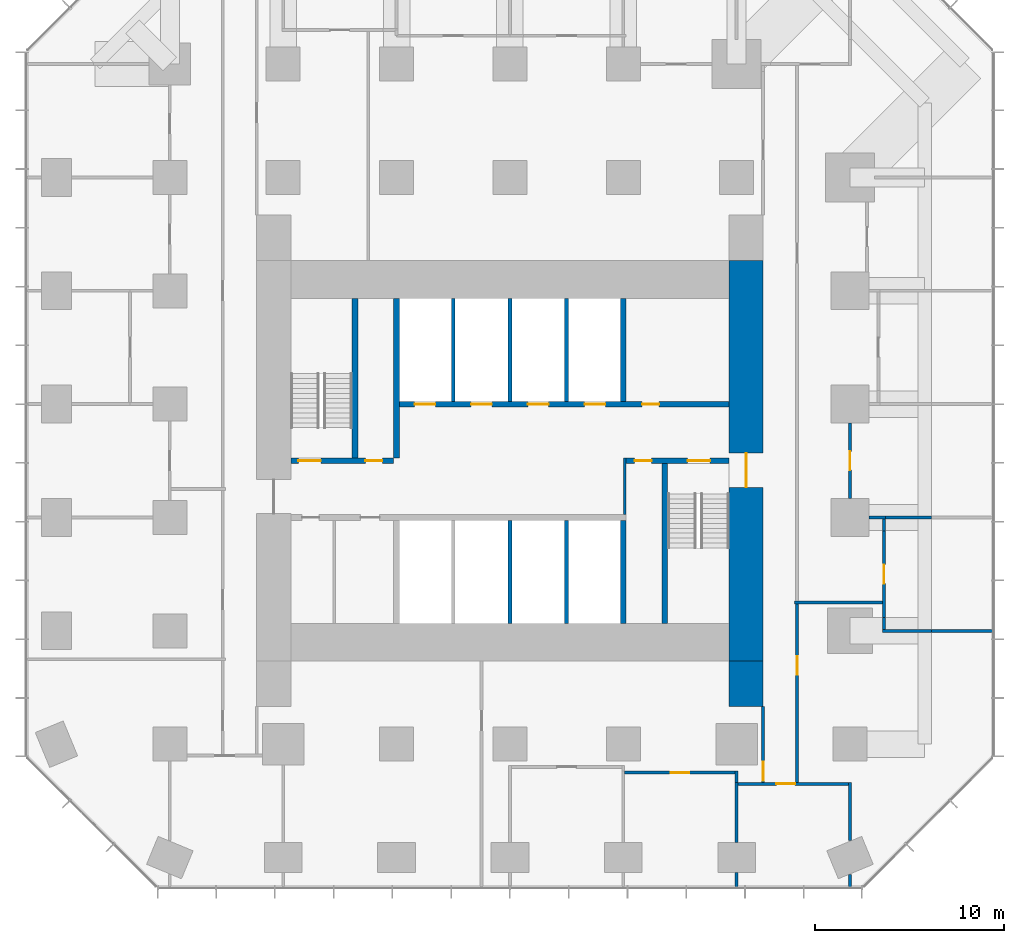
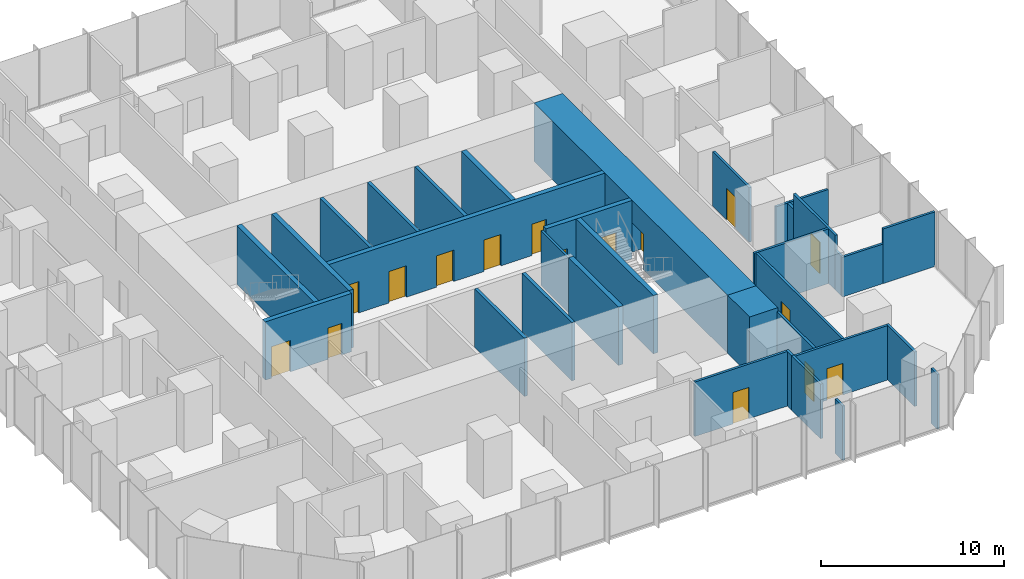
# One storey, part 9 of 12: 34 walls, 16 doors, 16 openings.
"""IFC4 building model written with IfcOpenShell, lengths in metres."""

from ifc_helpers import new_model, si_unit, direction, frame, frame_2d, origin, place, context, subcontext, project, spatial, rectangle, extrude, material, layer, layer_set, type_object, element, fill, save


model = new_model("IFC4")

# Units and contexts
model_context = context("Model", 3, precision=1e-05, world=origin(), true_north=direction((0.0, 1.0)))
body_context = subcontext(model_context, "Body", "Model", "MODEL_VIEW")
ifc_project = project(units=[si_unit("LENGTHUNIT", "METRE"), si_unit("AREAUNIT", "SQUARE_METRE"), si_unit("VOLUMEUNIT", "CUBIC_METRE"), si_unit("PLANEANGLEUNIT", "RADIAN"), si_unit("MASSUNIT", "GRAM", prefix="KILO")], contexts=[model_context])

# Site, building, storey
site_placement = place(None, origin())
site = spatial("IfcSite", under=ifc_project, at=site_placement, CompositionType="ELEMENT")
building_placement = place(site_placement, origin())
building = spatial("IfcBuilding", under=site, at=building_placement, Name="Highveld Stack Headquarters", CompositionType="ELEMENT")
storey_placement = place(building_placement, frame((0.0, 0.0, 76.699951171875)))
storey = spatial("IfcBuildingStorey", under=building, at=storey_placement, Name="L18", CompositionType="ELEMENT", Elevation=76.699951171875)

# Wall, opening, door
ifc_material_1 = material(Name="Concrete C60/75", Category="concrete")
ifc_layer_1 = layer(ifc_material_1, 1.800048828125)
ifc_layer_set_1 = layer_set([ifc_layer_1], Name="Concrete C60/75")
wall_type_1 = type_object("IfcWallType", Name="CORE WALL 1800 C60/75", PredefinedType="SHEAR", material=ifc_layer_set_1)
wall_1_placement = place(storey_placement, frame((18.5, -7.60009765625, 0.0), z_axis=(0.0, 0.0, 1.0), x_axis=(0.0, 1.0, 0.0)))
wall_1 = element("IfcWall", 1, at=wall_1_placement, inside=storey, type_object=wall_type_1, Name="Core wall E L18", PredefinedType="SHEAR", context=body_context, shape_type="SweptSolid", body=[
    extrude(rectangle(XDim=21.2001953125, YDim=1.800048828125, at=frame_2d((10.60009765625, 0.0))), origin(), (0.0, 0.0, 1.0), 3.900146484375),
])
opening_1_placement = place(wall_1_placement, frame((9.199951171875, 0.0, 0.0)))
opening_1 = element("IfcOpeningElement", 2, at=opening_1_placement, cuts=wall_1, Name="Opening L18-02", PredefinedType="OPENING", context=body_context, shape_type="SweptSolid", body=[
    extrude(rectangle(XDim=1.800048828125, YDim=2.39990234375, at=frame_2d((0.89990234375, 1.199951171875))), frame((0.0, 0.909912109375, 0.0), z_axis=(0.0, -1.0, 0.0), x_axis=(1.0, 0.0, 0.0)), (0.0, 0.0, 1.0), 1.820068359375),
])
ifc_material_2 = material(Name="Steel fire door", Category="steel")
door_type_1 = type_object("IfcDoorType", Name="LOBBY FIRE DOOR D4 1800x2400", OperationType="DOUBLE_DOOR_SINGLE_SWING", PredefinedType="DOOR", material=ifc_material_2)
door_1_placement = place(opening_1_placement, origin())
door_1 = element("IfcDoor", 3, at=door_1_placement, inside=storey, type_object=door_type_1, Name="Core east door L18", OperationType="DOUBLE_DOOR_SINGLE_SWING", OverallHeight=2.39990234375, OverallWidth=1.800048828125, PredefinedType="DOOR", context=body_context, shape_type="SweptSolid", body=[
    extrude(rectangle(XDim=1.800048828125, YDim=2.39990234375, at=frame_2d((0.89990234375, 1.199951171875))), frame((0.0, 0.02490234375, 0.0), z_axis=(0.0, -1.0, 0.0), x_axis=(1.0, 0.0, 0.0)), (0.0, 0.0, 1.0), 0.050048828125),
])
fill(opening_1, door_1)

# Wall, openings, doors
ifc_material_3 = material(Name="Concrete C60/75", Category="concrete")
ifc_layer_2 = layer(ifc_material_3, 0.300048828125)
ifc_layer_set_2 = layer_set([ifc_layer_2], Name="Concrete C60/75")
wall_type_2 = type_object("IfcWallType", Name="CORE WALL 300 C60/75", PredefinedType="SHEAR", material=ifc_layer_set_2)
wall_2_placement = place(storey_placement, frame((-5.60009765625, 3.0, 0.0), z_axis=(0.0, 0.0, 1.0), x_axis=(1.0, 0.0, 0.0)))
wall_2 = element("IfcWall", 4, at=wall_2_placement, inside=storey, type_object=wall_type_2, Name="Core wall I-Y3W L18", PredefinedType="SHEAR", context=body_context, shape_type="SweptSolid", body=[
    extrude(rectangle(XDim=5.4501953125, YDim=0.300048828125, at=frame_2d((2.72509765625, 0.0))), origin(), (0.0, 0.0, 1.0), 3.900146484375),
])
opening_2_placement = place(wall_2_placement, frame((0.39990234375, 0.0, 0.0)))
opening_2 = element("IfcOpeningElement", 5, at=opening_2_placement, cuts=wall_2, Name="Opening L18-03", PredefinedType="OPENING", context=body_context, shape_type="SweptSolid", body=[
    extrude(rectangle(XDim=1.199951171875, YDim=2.10009765625, at=frame_2d((0.60009765625, 1.050048828125))), frame((0.0, 0.159912109375, 0.0), z_axis=(0.0, -1.0, 0.0), x_axis=(1.0, 0.0, 0.0)), (0.0, 0.0, 1.0), 0.320068359375),
])
opening_3_placement = place(wall_2_placement, frame((3.949951171875, 0.0, 0.0)))
opening_3 = element("IfcOpeningElement", 6, at=opening_3_placement, cuts=wall_2, Name="Opening L18-04", PredefinedType="OPENING", context=body_context, shape_type="SweptSolid", body=[
    extrude(rectangle(XDim=0.89990234375, YDim=2.10009765625, at=frame_2d((0.449951171875, 1.050048828125))), frame((0.0, 0.159912109375, 0.0), z_axis=(0.0, -1.0, 0.0), x_axis=(1.0, 0.0, 0.0)), (0.0, 0.0, 1.0), 0.320068359375),
])
ifc_material_4 = material(Name="Steel fire door", Category="steel")
door_type_2 = type_object("IfcDoorType", Name="RISER ACCESS DOOR D5 900x2100", OperationType="SINGLE_SWING_LEFT", PredefinedType="DOOR", material=ifc_material_4)
door_2_placement = place(opening_3_placement, origin())
door_2 = element("IfcDoor", 7, at=door_2_placement, inside=storey, type_object=door_type_2, Name="Riser R1 door L18", OperationType="SINGLE_SWING_RIGHT", OverallHeight=2.10009765625, OverallWidth=0.89990234375, PredefinedType="DOOR", context=body_context, shape_type="SweptSolid", body=[
    extrude(rectangle(XDim=0.89990234375, YDim=2.10009765625, at=frame_2d((0.449951171875, 1.050048828125))), frame((0.0, 0.02490234375, 0.0), z_axis=(0.0, -1.0, 0.0), x_axis=(1.0, 0.0, 0.0)), (0.0, 0.0, 1.0), 0.050048828125),
])
fill(opening_3, door_2)
ifc_material_5 = material(Name="Steel fire door", Category="steel")
door_type_3 = type_object("IfcDoorType", Name="STAIR FIRE DOOR D3 1200x2100", OperationType="SINGLE_SWING_LEFT", PredefinedType="DOOR", material=ifc_material_5)
door_3_placement = place(opening_2_placement, origin())
door_3 = element("IfcDoor", 8, at=door_3_placement, inside=storey, type_object=door_type_3, Name="Stair S1 door L18", OperationType="SINGLE_SWING_LEFT", OverallHeight=2.10009765625, OverallWidth=1.199951171875, PredefinedType="DOOR", context=body_context, shape_type="SweptSolid", body=[
    extrude(rectangle(XDim=1.199951171875, YDim=2.10009765625, at=frame_2d((0.60009765625, 1.050048828125))), frame((0.0, 0.02490234375, 0.0), z_axis=(0.0, -1.0, 0.0), x_axis=(1.0, 0.0, 0.0)), (0.0, 0.0, 1.0), 0.050048828125),
])
fill(opening_2, door_3)

wall_3_placement = place(storey_placement, frame((12.14990234375, 3.0, 0.0), z_axis=(0.0, 0.0, 1.0), x_axis=(1.0, 0.0, 0.0)))
wall_3 = element("IfcWall", 9, at=wall_3_placement, inside=storey, type_object=wall_type_2, Name="Core wall I-Y3E L18", PredefinedType="SHEAR", context=body_context, shape_type="SweptSolid", body=[
    extrude(rectangle(XDim=5.4501953125, YDim=0.300048828125, at=frame_2d((2.72509765625, 0.0))), origin(), (0.0, 0.0, 1.0), 3.900146484375),
])
opening_4_placement = place(wall_3_placement, frame((3.25, 0.0, 0.0)))
opening_4 = element("IfcOpeningElement", 10, at=opening_4_placement, cuts=wall_3, Name="Opening L18-05", PredefinedType="OPENING", context=body_context, shape_type="SweptSolid", body=[
    extrude(rectangle(XDim=1.199951171875, YDim=2.10009765625, at=frame_2d((0.60009765625, 1.050048828125))), frame((0.0, 0.159912109375, 0.0), z_axis=(0.0, -1.0, 0.0), x_axis=(1.0, 0.0, 0.0)), (0.0, 0.0, 1.0), 0.320068359375),
])
opening_5_placement = place(wall_3_placement, frame((0.449951171875, 0.0, 0.0)))
opening_5 = element("IfcOpeningElement", 11, at=opening_5_placement, cuts=wall_3, Name="Opening L18-06", PredefinedType="OPENING", context=body_context, shape_type="SweptSolid", body=[
    extrude(rectangle(XDim=0.89990234375, YDim=2.10009765625, at=frame_2d((0.449951171875, 1.050048828125))), frame((0.0, 0.159912109375, 0.0), z_axis=(0.0, -1.0, 0.0), x_axis=(1.0, 0.0, 0.0)), (0.0, 0.0, 1.0), 0.320068359375),
])
door_4_placement = place(opening_5_placement, origin())
door_4 = element("IfcDoor", 12, at=door_4_placement, inside=storey, type_object=door_type_2, Name="Riser R2 door L18", OperationType="SINGLE_SWING_LEFT", OverallHeight=2.10009765625, OverallWidth=0.89990234375, PredefinedType="DOOR", context=body_context, shape_type="SweptSolid", body=[
    extrude(rectangle(XDim=0.89990234375, YDim=2.10009765625, at=frame_2d((0.449951171875, 1.050048828125))), frame((0.0, 0.02490234375, 0.0), z_axis=(0.0, -1.0, 0.0), x_axis=(1.0, 0.0, 0.0)), (0.0, 0.0, 1.0), 0.050048828125),
])
fill(opening_5, door_4)
door_5_placement = place(opening_4_placement, origin())
door_5 = element("IfcDoor", 13, at=door_5_placement, inside=storey, type_object=door_type_3, Name="Stair S2 door L18", OperationType="SINGLE_SWING_RIGHT", OverallHeight=2.10009765625, OverallWidth=1.199951171875, PredefinedType="DOOR", context=body_context, shape_type="SweptSolid", body=[
    extrude(rectangle(XDim=1.199951171875, YDim=2.10009765625, at=frame_2d((0.60009765625, 1.050048828125))), frame((0.0, 0.02490234375, 0.0), z_axis=(0.0, -1.0, 0.0), x_axis=(1.0, 0.0, 0.0)), (0.0, 0.0, 1.0), 0.050048828125),
])
fill(opening_4, door_5)

wall_4_placement = place(storey_placement, frame((-0.14990234375, 6.0, 0.0), z_axis=(0.0, 0.0, 1.0), x_axis=(1.0, 0.0, 0.0)))
wall_4 = element("IfcWall", 14, at=wall_4_placement, inside=storey, type_object=wall_type_2, Name="Core wall I-Y6 L18", PredefinedType="SHEAR", context=body_context, shape_type="SweptSolid", body=[
    extrude(rectangle(XDim=17.75, YDim=0.300048828125, at=frame_2d((8.875, 0.0))), origin(), (0.0, 0.0, 1.0), 3.900146484375),
])
opening_6_placement = place(wall_4_placement, frame((13.14990234375, 0.0, 0.0)))
opening_6 = element("IfcOpeningElement", 15, at=opening_6_placement, cuts=wall_4, Name="Opening L18-09", PredefinedType="OPENING", context=body_context, shape_type="SweptSolid", body=[
    extrude(rectangle(XDim=0.89990234375, YDim=2.10009765625, at=frame_2d((0.449951171875, 1.050048828125))), frame((0.0, 0.159912109375, 0.0), z_axis=(0.0, -1.0, 0.0), x_axis=(1.0, 0.0, 0.0)), (0.0, 0.0, 1.0), 0.320068359375),
])
opening_7_placement = place(wall_4_placement, frame((1.10009765625, 0.0, 0.0)))
opening_7 = element("IfcOpeningElement", 16, at=opening_7_placement, cuts=wall_4, Name="Opening LD", PredefinedType="OPENING", context=body_context, shape_type="SweptSolid", body=[
    extrude(rectangle(XDim=1.10009765625, YDim=2.10009765625, at=frame_2d((0.550048828125, 1.050048828125))), frame((0.0, 0.159912109375, 0.0), z_axis=(0.0, -1.0, 0.0), x_axis=(1.0, 0.0, 0.0)), (0.0, 0.0, 1.0), 0.320068359375),
])
opening_8_placement = place(wall_4_placement, frame((4.10009765625, 0.0, 0.0)))
opening_8 = element("IfcOpeningElement", 17, at=opening_8_placement, cuts=wall_4, Name="Opening LD", PredefinedType="OPENING", context=body_context, shape_type="SweptSolid", body=[
    extrude(rectangle(XDim=1.10009765625, YDim=2.10009765625, at=frame_2d((0.550048828125, 1.050048828125))), frame((0.0, 0.159912109375, 0.0), z_axis=(0.0, -1.0, 0.0), x_axis=(1.0, 0.0, 0.0)), (0.0, 0.0, 1.0), 0.320068359375),
])
opening_9_placement = place(wall_4_placement, frame((7.10009765625, 0.0, 0.0)))
opening_9 = element("IfcOpeningElement", 18, at=opening_9_placement, cuts=wall_4, Name="Opening LD", PredefinedType="OPENING", context=body_context, shape_type="SweptSolid", body=[
    extrude(rectangle(XDim=1.10009765625, YDim=2.10009765625, at=frame_2d((0.550048828125, 1.050048828125))), frame((0.0, 0.159912109375, 0.0), z_axis=(0.0, -1.0, 0.0), x_axis=(1.0, 0.0, 0.0)), (0.0, 0.0, 1.0), 0.320068359375),
])
opening_10_placement = place(wall_4_placement, frame((10.10009765625, 0.0, 0.0)))
opening_10 = element("IfcOpeningElement", 19, at=opening_10_placement, cuts=wall_4, Name="Opening LD", PredefinedType="OPENING", context=body_context, shape_type="SweptSolid", body=[
    extrude(rectangle(XDim=1.10009765625, YDim=2.10009765625, at=frame_2d((0.550048828125, 1.050048828125))), frame((0.0, 0.159912109375, 0.0), z_axis=(0.0, -1.0, 0.0), x_axis=(1.0, 0.0, 0.0)), (0.0, 0.0, 1.0), 0.320068359375),
])
ifc_material_6 = material(Name="Stainless steel lift landing door", Category="steel")
door_type_4 = type_object("IfcDoorType", Name="LIFT LANDING DOOR LD 1100x2100", OperationType="DOUBLE_DOOR_SLIDING", PredefinedType="USERDEFINED", material=ifc_material_6)
door_6_placement = place(opening_7_placement, origin())
door_6 = element("IfcDoor", 20, at=door_6_placement, inside=storey, type_object=door_type_4, Name="Lift landing door FF1 L18", ObjectType="LIFT LANDING DOOR", OperationType="DOUBLE_DOOR_SLIDING", OverallHeight=2.10009765625, OverallWidth=1.10009765625, PredefinedType="USERDEFINED", context=body_context, shape_type="SweptSolid", body=[
    extrude(rectangle(XDim=1.10009765625, YDim=2.10009765625, at=frame_2d((0.550048828125, 1.050048828125))), frame((0.0, 0.02490234375, 0.0), z_axis=(0.0, -1.0, 0.0), x_axis=(1.0, 0.0, 0.0)), (0.0, 0.0, 1.0), 0.050048828125),
])
fill(opening_7, door_6)
door_7_placement = place(opening_8_placement, origin())
door_7 = element("IfcDoor", 21, at=door_7_placement, inside=storey, type_object=door_type_4, Name="Lift landing door FF2 L18", ObjectType="LIFT LANDING DOOR", OperationType="DOUBLE_DOOR_SLIDING", OverallHeight=2.10009765625, OverallWidth=1.10009765625, PredefinedType="USERDEFINED", context=body_context, shape_type="SweptSolid", body=[
    extrude(rectangle(XDim=1.10009765625, YDim=2.10009765625, at=frame_2d((0.550048828125, 1.050048828125))), frame((0.0, 0.02490234375, 0.0), z_axis=(0.0, -1.0, 0.0), x_axis=(1.0, 0.0, 0.0)), (0.0, 0.0, 1.0), 0.050048828125),
])
fill(opening_8, door_7)
door_8_placement = place(opening_9_placement, origin())
door_8 = element("IfcDoor", 22, at=door_8_placement, inside=storey, type_object=door_type_4, Name="Lift landing door A1 L18", ObjectType="LIFT LANDING DOOR", OperationType="DOUBLE_DOOR_SLIDING", OverallHeight=2.10009765625, OverallWidth=1.10009765625, PredefinedType="USERDEFINED", context=body_context, shape_type="SweptSolid", body=[
    extrude(rectangle(XDim=1.10009765625, YDim=2.10009765625, at=frame_2d((0.550048828125, 1.050048828125))), frame((0.0, 0.02490234375, 0.0), z_axis=(0.0, -1.0, 0.0), x_axis=(1.0, 0.0, 0.0)), (0.0, 0.0, 1.0), 0.050048828125),
])
fill(opening_9, door_8)
door_9_placement = place(opening_10_placement, origin())
door_9 = element("IfcDoor", 23, at=door_9_placement, inside=storey, type_object=door_type_4, Name="Lift landing door A2 L18", ObjectType="LIFT LANDING DOOR", OperationType="DOUBLE_DOOR_SLIDING", OverallHeight=2.10009765625, OverallWidth=1.10009765625, PredefinedType="USERDEFINED", context=body_context, shape_type="SweptSolid", body=[
    extrude(rectangle(XDim=1.10009765625, YDim=2.10009765625, at=frame_2d((0.550048828125, 1.050048828125))), frame((0.0, 0.02490234375, 0.0), z_axis=(0.0, -1.0, 0.0), x_axis=(1.0, 0.0, 0.0)), (0.0, 0.0, 1.0), 0.050048828125),
])
fill(opening_10, door_9)
ifc_material_7 = material(Name="Timber door, painted", Category="wood")
door_type_5 = type_object("IfcDoorType", Name="WC DOOR D1 900x2100", OperationType="SINGLE_SWING_LEFT", PredefinedType="DOOR", material=ifc_material_7)
door_10_placement = place(opening_6_placement, origin())
door_10 = element("IfcDoor", 24, at=door_10_placement, inside=storey, type_object=door_type_5, Name="Male WC door L18", OperationType="SINGLE_SWING_RIGHT", OverallHeight=2.10009765625, OverallWidth=0.89990234375, PredefinedType="DOOR", context=body_context, shape_type="SweptSolid", body=[
    extrude(rectangle(XDim=0.89990234375, YDim=2.10009765625, at=frame_2d((0.449951171875, 1.050048828125))), frame((0.0, 0.02490234375, 0.0), z_axis=(0.0, -1.0, 0.0), x_axis=(1.0, 0.0, 0.0)), (0.0, 0.0, 1.0), 0.050048828125),
])
fill(opening_6, door_10)

# Walls
wall_5_placement = place(storey_placement, frame((0.0, 3.14990234375, 0.0), z_axis=(0.0, 0.0, 1.0), x_axis=(0.0, 1.0, 0.0)))
element("IfcWall", 25, at=wall_5_placement, inside=storey, type_object=wall_type_2, Name="Core wall I-X0N L18", PredefinedType="SHEAR", context=body_context, shape_type="SweptSolid", body=[
    extrude(rectangle(XDim=8.4501953125, YDim=0.300048828125, at=frame_2d((4.22509765625, 0.0))), origin(), (0.0, 0.0, 1.0), 3.900146484375),
])
for number, where, z_axis, x_axis, name in (
    (26, (12.0, -5.60009765625, 0.0), (0.0, 0.0, 1.0), (0.0, 1.0, 0.0), "Core wall I-X12S L18"),
    (27, (12.0, 6.14990234375, 0.0), (0.0, 0.0, 1.0), (0.0, 1.0, 0.0), "Core wall I-X12N L18"),
):
    element("IfcWall", number, at=place(storey_placement, frame(where, z_axis=z_axis, x_axis=x_axis)), inside=storey, type_object=wall_type_2, Name=name, PredefinedType="SHEAR", context=body_context, shape_type="SweptSolid", body=[
        extrude(rectangle(XDim=5.4501953125, YDim=0.300048828125, at=frame_2d((2.72509765625, 0.0))), origin(), (0.0, 0.0, 1.0), 3.900146484375),
    ])
for number, where, z_axis, x_axis, name in (
    (28, (-2.199951171875, 3.14990234375, 0.0), (0.0, 0.0, 1.0), (0.0, 1.0, 0.0), "Core wall I-RW L18"),
    (29, (14.199951171875, -5.60009765625, 0.0), (0.0, 0.0, 1.0), (0.0, 1.0, 0.0), "Core wall I-RE L18"),
):
    element("IfcWall", number, at=place(storey_placement, frame(where, z_axis=z_axis, x_axis=x_axis)), inside=storey, type_object=wall_type_2, Name=name, PredefinedType="SHEAR", context=body_context, shape_type="SweptSolid", body=[
        extrude(rectangle(XDim=8.4501953125, YDim=0.300048828125, at=frame_2d((4.22509765625, 0.0))), origin(), (0.0, 0.0, 1.0), 3.900146484375),
    ])
ifc_material_8 = material(Name="Concrete C60/75", Category="concrete")
ifc_layer_3 = layer(ifc_material_8, 1.800048828125)
ifc_layer_set_3 = layer_set([ifc_layer_3], Name="Concrete C60/75")
wall_type_3 = type_object("IfcWallType", Name="CORE WING WALL 1800 C60/75", PredefinedType="SHEAR", material=ifc_layer_set_3)
wall_6_placement = place(storey_placement, frame((18.5, -10.0, 0.0), z_axis=(0.0, 0.0, 1.0), x_axis=(0.0, 1.0, 0.0)))
element("IfcWall", 30, at=wall_6_placement, inside=storey, type_object=wall_type_3, Name="Core wing wall ES L18", PredefinedType="SHEAR", context=body_context, shape_type="SweptSolid", body=[
    extrude(rectangle(XDim=2.39990234375, YDim=1.800048828125, at=frame_2d((1.199951171875, 0.0))), origin(), (0.0, 0.0, 1.0), 3.900146484375),
])
ifc_material_9 = material(Name="Concrete blockwork, plastered", Category="masonry")
ifc_layer_4 = layer(ifc_material_9, 0.14990234375)
ifc_layer_set_4 = layer_set([ifc_layer_4], Name="Concrete blockwork, plastered")
wall_type_4 = type_object("IfcWallType", Name="FIRE PARTITION 150 BLOCKWORK", PredefinedType="PARTITIONING", material=ifc_layer_set_4)
wall_7_placement = place(storey_placement, frame((12.074951171875, 0.14990234375, 0.0), z_axis=(0.0, 0.0, 1.0), x_axis=(0.0, 1.0, 0.0)))
element("IfcWall", 31, at=wall_7_placement, inside=storey, type_object=wall_type_4, Name="Riser R2 enclosure L18", PredefinedType="PARTITIONING", context=body_context, shape_type="SweptSolid", body=[
    extrude(rectangle(XDim=3.0, YDim=0.14990234375, at=frame_2d((1.5, 0.0))), origin(), (0.0, 0.0, 1.0), 3.650146484375),
])
ifc_material_10 = material(Name="Concrete blockwork, fair-faced", Category="masonry")
ifc_layer_5 = layer(ifc_material_10, 0.199951171875)
ifc_layer_set_5 = layer_set([ifc_layer_5], Name="Concrete blockwork, fair-faced")
wall_type_5 = type_object("IfcWallType", Name="LIFT SHAFT ENCLOSURE WALL 200 BLOCKWORK", PredefinedType="SOLIDWALL", material=ifc_layer_set_5)
for number, where, z_axis, x_axis, name in (
    (32, (3.0, 6.14990234375, 0.0), (0.0, 0.0, 1.0), (0.0, 1.0, 0.0), "Lift shaft wall L18"),
    (33, (6.0, 6.14990234375, 0.0), (0.0, 0.0, 1.0), (0.0, 1.0, 0.0), "Lift shaft wall L18"),
    (34, (9.0, 6.14990234375, 0.0), (0.0, 0.0, 1.0), (0.0, 1.0, 0.0), "Lift shaft wall L18"),
    (35, (6.0, -5.60009765625, 0.0), (0.0, 0.0, 1.0), (0.0, 1.0, 0.0), "Lift shaft wall L18"),
    (36, (9.0, -5.60009765625, 0.0), (0.0, 0.0, 1.0), (0.0, 1.0, 0.0), "Lift shaft wall L18"),
):
    element("IfcWall", number, at=place(storey_placement, frame(where, z_axis=z_axis, x_axis=x_axis)), inside=storey, type_object=wall_type_5, Name=name, PredefinedType="SOLIDWALL", context=body_context, shape_type="SweptSolid", body=[
        extrude(rectangle(XDim=5.4501953125, YDim=0.199951171875, at=frame_2d((2.72509765625, 0.0))), origin(), (0.0, 0.0, 1.0), 3.900146484375),
    ])

# Wall, opening, door
ifc_material_11 = material(Name="Gypsum plasterboard on steel studs", Category="steel")
ifc_layer_6 = layer(ifc_material_11, 0.14990234375)
ifc_layer_set_6 = layer_set([ifc_layer_6], Name="Gypsum plasterboard on steel studs")
wall_type_6 = type_object("IfcWallType", Name="PARTITION 150 PLASTERBOARD", PredefinedType="PARTITIONING", material=ifc_layer_set_6)
wall_8_placement = place(storey_placement, frame((23.925048828125, -14.10009765625, 0.0), z_axis=(0.0, 0.0, 1.0), x_axis=(-1.0, 0.0, 0.0)))
wall_8 = element("IfcWall", 37, at=wall_8_placement, inside=storey, type_object=wall_type_6, Name="Partition Focus room L18", PredefinedType="PARTITIONING", context=body_context, shape_type="SweptSolid", body=[
    extrude(rectangle(XDim=5.85009765625, YDim=0.14990234375, at=frame_2d((2.925048828125, 0.0))), origin(), (0.0, 0.0, 1.0), 3.650146484375),
])
opening_11_placement = place(wall_8_placement, frame((2.824951171875, 0.0, 0.0)))
opening_11 = element("IfcOpeningElement", 38, at=opening_11_placement, cuts=wall_8, Name="Opening L18-13", PredefinedType="OPENING", context=body_context, shape_type="SweptSolid", body=[
    extrude(rectangle(XDim=1.0, YDim=2.10009765625, at=frame_2d((0.5, 1.050048828125))), frame((0.0, 0.0849609375, 0.0), z_axis=(0.0, -1.0, 0.0), x_axis=(1.0, 0.0, 0.0)), (0.0, 0.0, 1.0), 0.169921875),
])
ifc_material_12 = material(Name="Timber door, oiled ash", Category="wood")
door_type_6 = type_object("IfcDoorType", Name="ROOM DOOR D6 1000x2100", OperationType="SINGLE_SWING_LEFT", PredefinedType="DOOR", material=ifc_material_12)
door_11_placement = place(opening_11_placement, origin())
door_11 = element("IfcDoor", 39, at=door_11_placement, inside=storey, type_object=door_type_6, Name="Focus room door 1 L18", OperationType="SINGLE_SWING_RIGHT", OverallHeight=2.10009765625, OverallWidth=1.0, PredefinedType="DOOR", context=body_context, shape_type="SweptSolid", body=[
    extrude(rectangle(XDim=1.0, YDim=2.10009765625, at=frame_2d((0.5, 1.050048828125))), frame((0.0, 0.02490234375, 0.0), z_axis=(0.0, -1.0, 0.0), x_axis=(1.0, 0.0, 0.0)), (0.0, 0.0, 1.0), 0.050048828125),
])
fill(opening_11, door_11)

wall_9_placement = place(storey_placement, frame((12.074951171875, -13.5, 0.0), z_axis=(0.0, 0.0, 1.0), x_axis=(1.0, 0.0, 0.0)))
wall_9 = element("IfcWall", 40, at=wall_9_placement, inside=storey, type_object=wall_type_6, Name="Partition Quiet room L18", PredefinedType="PARTITIONING", context=body_context, shape_type="SweptSolid", body=[
    extrude(rectangle(XDim=5.85009765625, YDim=0.14990234375, at=frame_2d((2.925048828125, 0.0))), origin(), (0.0, 0.0, 1.0), 3.650146484375),
])
opening_12_placement = place(wall_9_placement, frame((2.425048828125, 0.0, 0.0)))
opening_12 = element("IfcOpeningElement", 41, at=opening_12_placement, cuts=wall_9, Name="Opening L18-12", PredefinedType="OPENING", context=body_context, shape_type="SweptSolid", body=[
    extrude(rectangle(XDim=1.0, YDim=2.10009765625, at=frame_2d((0.5, 1.050048828125))), frame((0.0, 0.0849609375, 0.0), z_axis=(0.0, -1.0, 0.0), x_axis=(1.0, 0.0, 0.0)), (0.0, 0.0, 1.0), 0.169921875),
])
door_12_placement = place(opening_12_placement, origin())
door_12 = element("IfcDoor", 42, at=door_12_placement, inside=storey, type_object=door_type_6, Name="Quiet room door 1 L18", OperationType="SINGLE_SWING_RIGHT", OverallHeight=2.10009765625, OverallWidth=1.0, PredefinedType="DOOR", context=body_context, shape_type="SweptSolid", body=[
    extrude(rectangle(XDim=1.0, YDim=2.10009765625, at=frame_2d((0.5, 1.050048828125))), frame((0.0, 0.02490234375, 0.0), z_axis=(0.0, -1.0, 0.0), x_axis=(1.0, 0.0, 0.0)), (0.0, 0.0, 1.0), 0.050048828125),
])
fill(opening_12, door_12)

# Walls
wall_10_placement = place(storey_placement, frame((25.72509765625, -6.0, 0.0), z_axis=(0.0, 0.0, 1.0), x_axis=(1.0, 0.0, 0.0)))
element("IfcWall", 43, at=wall_10_placement, inside=storey, type_object=wall_type_6, Name="Partition Print room L18", PredefinedType="PARTITIONING", context=body_context, shape_type="SweptSolid", body=[
    extrude(rectangle(XDim=2.5849609375, YDim=0.14990234375, at=frame_2d((1.29248046875, 0.0))), origin(), (0.0, 0.0, 1.0), 2.650146484375),
])
wall_11_placement = place(storey_placement, frame((28.31005859375, -6.0, 0.0), z_axis=(0.0, 0.0, 1.0), x_axis=(1.0, 0.0, 0.0)))
element("IfcWall", 44, at=wall_11_placement, inside=storey, type_object=wall_type_6, Name="Partition Print room L18", PredefinedType="PARTITIONING", context=body_context, shape_type="SweptSolid", body=[
    extrude(rectangle(XDim=3.2900390625, YDim=0.14990234375, at=frame_2d((1.64501953125, 0.0))), origin(), (0.0, 0.0, 1.0), 3.650146484375),
])
wall_12_placement = place(storey_placement, frame((25.0, 0.0, 0.0), z_axis=(0.0, 0.0, 1.0), x_axis=(1.0, 0.0, 0.0)))
element("IfcWall", 45, at=wall_12_placement, inside=storey, type_object=wall_type_6, Name="Partition Office L18", PredefinedType="PARTITIONING", context=body_context, shape_type="SweptSolid", body=[
    extrude(rectangle(XDim=0.875, YDim=0.14990234375, at=frame_2d((0.4375, 0.0))), origin(), (0.0, 0.0, 1.0), 2.650146484375),
])
wall_13_placement = place(storey_placement, frame((25.800048828125, 0.0, 0.0), z_axis=(0.0, 0.0, 1.0), x_axis=(1.0, 0.0, 0.0)))
element("IfcWall", 46, at=wall_13_placement, inside=storey, type_object=wall_type_6, Name="Partition Office / Print room L18", PredefinedType="PARTITIONING", context=body_context, shape_type="SweptSolid", body=[
    extrude(rectangle(XDim=2.510009765625, YDim=0.14990234375, at=frame_2d((1.2548828125, 0.0))), origin(), (0.0, 0.0, 1.0), 2.650146484375),
])
wall_14_placement = place(storey_placement, frame((18.0, -19.60009765625, 0.0), z_axis=(0.0, 0.0, 1.0), x_axis=(0.0, 1.0, 0.0)))
element("IfcWall", 47, at=wall_14_placement, inside=storey, type_object=wall_type_6, Name="Partition Focus room / Quiet room L18", PredefinedType="PARTITIONING", context=body_context, shape_type="SweptSolid", body=[
    extrude(rectangle(XDim=0.800048828125, YDim=0.14990234375, at=frame_2d((0.39990234375, 0.0))), origin(), (0.0, 0.0, 1.0), 3.650146484375),
])
wall_15_placement = place(storey_placement, frame((18.0, -17.199951171875, 0.0), z_axis=(0.0, 0.0, 1.0), x_axis=(0.0, 1.0, 0.0)))
element("IfcWall", 48, at=wall_15_placement, inside=storey, type_object=wall_type_6, Name="Partition Focus room / Quiet room L18", PredefinedType="PARTITIONING", context=body_context, shape_type="SweptSolid", body=[
    extrude(rectangle(XDim=3.175048828125, YDim=0.14990234375, at=frame_2d((1.58740234375, 0.0))), origin(), (0.0, 0.0, 1.0), 3.650146484375),
])
wall_16_placement = place(storey_placement, frame((18.0, -14.02490234375, 0.0), z_axis=(0.0, 0.0, 1.0), x_axis=(0.0, 1.0, 0.0)))
element("IfcWall", 49, at=wall_16_placement, inside=storey, type_object=wall_type_6, Name="Partition Quiet room L18", PredefinedType="PARTITIONING", context=body_context, shape_type="SweptSolid", body=[
    extrude(rectangle(XDim=0.599853515625, YDim=0.14990234375, at=frame_2d((0.2998046875, 0.0))), origin(), (0.0, 0.0, 1.0), 3.650146484375),
])
wall_17_placement = place(storey_placement, frame((24.0, -19.60009765625, 0.0), z_axis=(0.0, 0.0, 1.0), x_axis=(0.0, 1.0, 0.0)))
element("IfcWall", 50, at=wall_17_placement, inside=storey, type_object=wall_type_6, Name="Partition Focus room L18", PredefinedType="PARTITIONING", context=body_context, shape_type="SweptSolid", body=[
    extrude(rectangle(XDim=0.703125, YDim=0.14990234375, at=frame_2d((0.3515625, 0.0))), origin(), (0.0, 0.0, 1.0), 3.650146484375),
])
wall_18_placement = place(storey_placement, frame((24.0, -17.10302734375, 0.0), z_axis=(0.0, 0.0, 1.0), x_axis=(0.0, 1.0, 0.0)))
element("IfcWall", 51, at=wall_18_placement, inside=storey, type_object=wall_type_6, Name="Partition Focus room L18", PredefinedType="PARTITIONING", context=body_context, shape_type="SweptSolid", body=[
    extrude(rectangle(XDim=3.078125, YDim=0.14990234375, at=frame_2d((1.5390625, 0.0))), origin(), (0.0, 0.0, 1.0), 3.650146484375),
])

# Wall, opening, door
wall_19_placement = place(storey_placement, frame((24.0, 1.0, 0.0), z_axis=(0.0, 0.0, 1.0), x_axis=(0.0, 1.0, 0.0)))
wall_19 = element("IfcWall", 52, at=wall_19_placement, inside=storey, type_object=wall_type_6, Name="Partition Office L18", PredefinedType="PARTITIONING", context=body_context, shape_type="SweptSolid", body=[
    extrude(rectangle(XDim=4.0, YDim=0.14990234375, at=frame_2d((2.0, 0.0))), origin(), (0.0, 0.0, 1.0), 3.650146484375),
])
opening_13_placement = place(wall_19_placement, frame((1.5, 0.0, 0.0)))
opening_13 = element("IfcOpeningElement", 53, at=opening_13_placement, cuts=wall_19, Name="Opening L18-19", PredefinedType="OPENING", context=body_context, shape_type="SweptSolid", body=[
    extrude(rectangle(XDim=1.0, YDim=2.10009765625, at=frame_2d((0.5, 1.050048828125))), frame((0.0, 0.0849609375, 0.0), z_axis=(0.0, -1.0, 0.0), x_axis=(1.0, 0.0, 0.0)), (0.0, 0.0, 1.0), 0.169921875),
])
door_13_placement = place(opening_13_placement, origin())
door_13 = element("IfcDoor", 54, at=door_13_placement, inside=storey, type_object=door_type_6, Name="Office door 1 L18", OperationType="SINGLE_SWING_LEFT", OverallHeight=2.10009765625, OverallWidth=1.0, PredefinedType="DOOR", context=body_context, shape_type="SweptSolid", body=[
    extrude(rectangle(XDim=1.0, YDim=2.10009765625, at=frame_2d((0.5, 1.050048828125))), frame((0.0, 0.02490234375, 0.0), z_axis=(0.0, -1.0, 0.0), x_axis=(1.0, 0.0, 0.0)), (0.0, 0.0, 1.0), 0.050048828125),
])
fill(opening_13, door_13)

# Wall
wall_20_placement = place(storey_placement, frame((25.800048828125, -5.925048828125, 0.0), z_axis=(0.0, 0.0, 1.0), x_axis=(0.0, 1.0, 0.0)))
element("IfcWall", 55, at=wall_20_placement, inside=storey, type_object=wall_type_6, Name="Partition Print room L18", PredefinedType="PARTITIONING", context=body_context, shape_type="SweptSolid", body=[
    extrude(rectangle(XDim=0.635009765625, YDim=0.14990234375, at=frame_2d((0.3173828125, 0.0))), origin(), (0.0, 0.0, 1.0), 2.650146484375),
])

# Wall, opening, door
wall_21_placement = place(storey_placement, frame((25.800048828125, -5.2900390625, 0.0), z_axis=(0.0, 0.0, 1.0), x_axis=(0.0, 1.0, 0.0)))
wall_21 = element("IfcWall", 56, at=wall_21_placement, inside=storey, type_object=wall_type_6, Name="Partition Print room L18", PredefinedType="PARTITIONING", context=body_context, shape_type="SweptSolid", body=[
    extrude(rectangle(XDim=4.580078125, YDim=0.14990234375, at=frame_2d((2.2900390625, 0.0))), origin(), (0.0, 0.0, 1.0), 3.650146484375),
])
opening_14_placement = place(wall_21_placement, frame((1.7900390625, 0.0, 0.0)))
opening_14 = element("IfcOpeningElement", 57, at=opening_14_placement, cuts=wall_21, Name="Opening L18-18", PredefinedType="OPENING", context=body_context, shape_type="SweptSolid", body=[
    extrude(rectangle(XDim=1.0, YDim=2.10009765625, at=frame_2d((0.5, 1.050048828125))), frame((0.0, 0.0849609375, 0.0), z_axis=(0.0, -1.0, 0.0), x_axis=(1.0, 0.0, 0.0)), (0.0, 0.0, 1.0), 0.169921875),
])
door_14_placement = place(opening_14_placement, origin())
door_14 = element("IfcDoor", 58, at=door_14_placement, inside=storey, type_object=door_type_6, Name="Print room door 1 L18", OperationType="SINGLE_SWING_LEFT", OverallHeight=2.10009765625, OverallWidth=1.0, PredefinedType="DOOR", context=body_context, shape_type="SweptSolid", body=[
    extrude(rectangle(XDim=1.0, YDim=2.10009765625, at=frame_2d((0.5, 1.050048828125))), frame((0.0, 0.02490234375, 0.0), z_axis=(0.0, -1.0, 0.0), x_axis=(1.0, 0.0, 0.0)), (0.0, 0.0, 1.0), 0.050048828125),
])
fill(opening_14, door_14)

# Wall
wall_22_placement = place(storey_placement, frame((25.800048828125, -0.7099609375, 0.0), z_axis=(0.0, 0.0, 1.0), x_axis=(0.0, 1.0, 0.0)))
element("IfcWall", 59, at=wall_22_placement, inside=storey, type_object=wall_type_6, Name="Partition Print room L18", PredefinedType="PARTITIONING", context=body_context, shape_type="SweptSolid", body=[
    extrude(rectangle(XDim=0.635009765625, YDim=0.14990234375, at=frame_2d((0.3173828125, 0.0))), origin(), (0.0, 0.0, 1.0), 2.650146484375),
])

# Wall, opening, door
wall_23_placement = place(storey_placement, frame((19.39990234375, -10.0, 0.0), z_axis=(0.0, 0.0, 1.0), x_axis=(0.0, -1.0, 0.0)))
wall_23 = element("IfcWall", 60, at=wall_23_placement, inside=storey, type_object=wall_type_6, Name="Partition office neighbourhood L18", PredefinedType="PARTITIONING", context=body_context, shape_type="SweptSolid", body=[
    extrude(rectangle(XDim=4.02490234375, YDim=0.14990234375, at=frame_2d((2.012451171875, 0.0))), origin(), (0.0, 0.0, 1.0), 3.650146484375),
])
opening_15_placement = place(wall_23_placement, frame((2.925048828125, 0.0, 0.0)))
opening_15 = element("IfcOpeningElement", 61, at=opening_15_placement, cuts=wall_23, Name="Opening L18-35", PredefinedType="OPENING", context=body_context, shape_type="SweptSolid", body=[
    extrude(rectangle(XDim=1.0, YDim=2.10009765625, at=frame_2d((0.5, 1.050048828125))), frame((0.0, 0.0849609375, 0.0), z_axis=(0.0, -1.0, 0.0), x_axis=(1.0, 0.0, 0.0)), (0.0, 0.0, 1.0), 0.169921875),
])
door_15_placement = place(opening_15_placement, origin())
door_15 = element("IfcDoor", 62, at=door_15_placement, inside=storey, type_object=door_type_6, Name="Office neighbourhood door L18", OperationType="SINGLE_SWING_RIGHT", OverallHeight=2.10009765625, OverallWidth=1.0, PredefinedType="DOOR", context=body_context, shape_type="SweptSolid", body=[
    extrude(rectangle(XDim=1.0, YDim=2.10009765625, at=frame_2d((0.5, 1.050048828125))), frame((0.0, 0.02490234375, 0.0), z_axis=(0.0, -1.0, 0.0), x_axis=(1.0, 0.0, 0.0)), (0.0, 0.0, 1.0), 0.050048828125),
])
fill(opening_15, door_15)

wall_24_placement = place(storey_placement, frame((21.199951171875, -14.02490234375, 0.0), z_axis=(0.0, 0.0, 1.0), x_axis=(0.0, 1.0, 0.0)))
wall_24 = element("IfcWall", 63, at=wall_24_placement, inside=storey, type_object=wall_type_6, Name="Partition office neighbourhood L18", PredefinedType="PARTITIONING", context=body_context, shape_type="SweptSolid", body=[
    extrude(rectangle(XDim=9.449951171875, YDim=0.14990234375, at=frame_2d((4.72509765625, 0.0))), origin(), (0.0, 0.0, 1.0), 3.650146484375),
])
opening_16_placement = place(wall_24_placement, frame((5.69091796875, 0.0, 0.0)))
opening_16 = element("IfcOpeningElement", 64, at=opening_16_placement, cuts=wall_24, Name="Opening L18-28", PredefinedType="OPENING", context=body_context, shape_type="SweptSolid", body=[
    extrude(rectangle(XDim=1.0, YDim=2.10009765625, at=frame_2d((0.5, 1.050048828125))), frame((0.0, 0.0849609375, 0.0), z_axis=(0.0, -1.0, 0.0), x_axis=(1.0, 0.0, 0.0)), (0.0, 0.0, 1.0), 0.169921875),
])
door_16_placement = place(opening_16_placement, origin())
door_16 = element("IfcDoor", 65, at=door_16_placement, inside=storey, type_object=door_type_6, Name="Office neighbourhood door L18", OperationType="SINGLE_SWING_RIGHT", OverallHeight=2.10009765625, OverallWidth=1.0, PredefinedType="DOOR", context=body_context, shape_type="SweptSolid", body=[
    extrude(rectangle(XDim=1.0, YDim=2.10009765625, at=frame_2d((0.5, 1.050048828125))), frame((0.0, 0.02490234375, 0.0), z_axis=(0.0, -1.0, 0.0), x_axis=(1.0, 0.0, 0.0)), (0.0, 0.0, 1.0), 0.050048828125),
])
fill(opening_16, door_16)

# Wall
wall_25_placement = place(storey_placement, frame((21.050048828125, -4.5, 0.0), z_axis=(0.0, 0.0, 1.0), x_axis=(1.0, 0.0, 0.0)))
element("IfcWall", 66, at=wall_25_placement, inside=storey, type_object=wall_type_6, Name="Partition office neighbourhood L18", PredefinedType="PARTITIONING", context=body_context, shape_type="SweptSolid", body=[
    extrude(rectangle(XDim=4.675048828125, YDim=0.14990234375, at=frame_2d((2.33740234375, 0.0))), origin(), (0.0, 0.0, 1.0), 3.650146484375),
])

save(model, "model.ifc")
